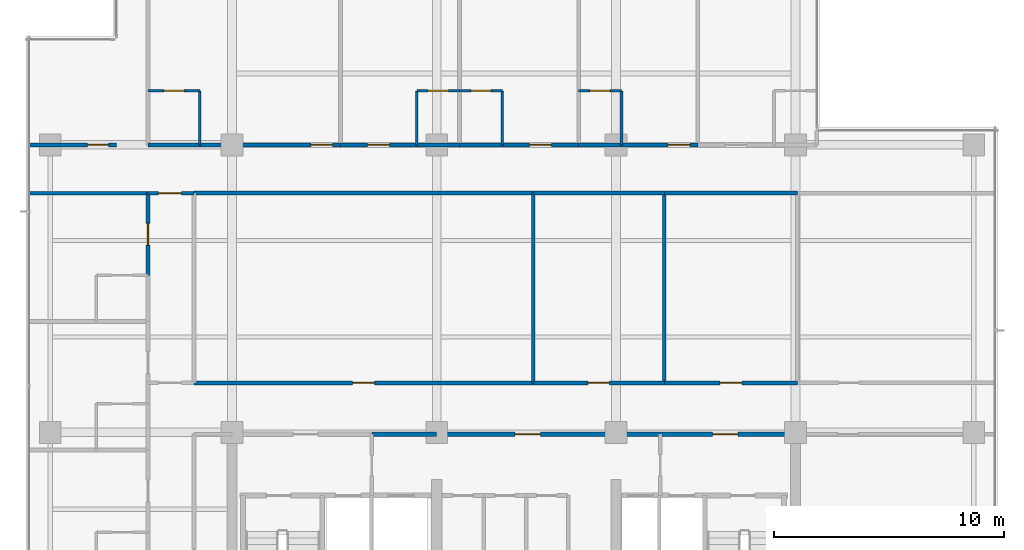
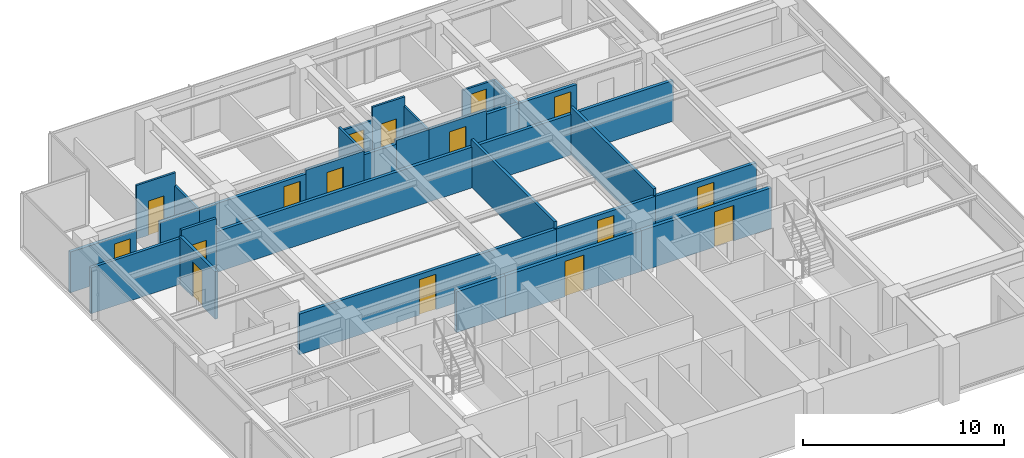
# One storey, part 9 of 15: 31 walls, 16 doors, 16 openings.
"""IFC4 building model written with IfcOpenShell, lengths in metres."""

from ifc_helpers import new_model, si_unit, direction, frame, frame_2d, origin, place, context, subcontext, project, spatial, rectangle, extrude, material, layer, layer_set, type_object, element, fill, save


model = new_model("IFC4")

# Units and contexts
model_context = context("Model", 3, precision=1e-05, world=origin(), true_north=direction((0.0, 1.0)))
body_context = subcontext(model_context, "Body", "Model", "MODEL_VIEW")
ifc_project = project(units=[si_unit("LENGTHUNIT", "METRE"), si_unit("AREAUNIT", "SQUARE_METRE"), si_unit("VOLUMEUNIT", "CUBIC_METRE"), si_unit("PLANEANGLEUNIT", "RADIAN"), si_unit("MASSUNIT", "GRAM", prefix="KILO")], contexts=[model_context])

# Site, building, storey
site_placement = place(None, origin())
site = spatial("IfcSite", under=ifc_project, at=site_placement, CompositionType="ELEMENT")
building_placement = place(site_placement, origin())
building = spatial("IfcBuilding", under=site, at=building_placement, Name="Qalmaran Belvedere Hotel", CompositionType="ELEMENT")
storey_placement = place(building_placement, frame((0.0, 0.0, 196.89990234375)))
storey = spatial("IfcBuildingStorey", under=building, at=storey_placement, Name="L49", CompositionType="ELEMENT", Elevation=196.89990234375)

# Wall, opening, door
ifc_material_1 = material(Name="Moisture-Resistant Gypsum")
ifc_layer_1 = layer(ifc_material_1, 0.1201171875, Name="Moisture-Resistant Gypsum")
ifc_layer_set_1 = layer_set([ifc_layer_1], Name="Moisture-Resistant Gypsum")
wall_type_1 = type_object("IfcWallType", Name="WL-INT-120-BATH", PredefinedType="PARTITIONING", material=ifc_layer_set_1)
wall_1_placement = place(storey_placement, frame((16.64990234375, 35.35009765625, 0.0), z_axis=(0.0, 0.0, 1.0), x_axis=(1.0, 0.0, 0.0)))
wall_1 = element("IfcWall", 1, at=wall_1_placement, inside=storey, type_object=wall_type_1, Name="L49 Partition WL-L49-NBN00", PredefinedType="PARTITIONING", context=body_context, shape_type="SweptSolid", body=[
    extrude(rectangle(XDim=2.25, YDim=0.1201171875, at=frame_2d((1.125, 0.0))), origin(), (0.0, 0.0, 1.0), 3.260009765625),
])
opening_1_placement = place(wall_1_placement, frame((1.56494140625, 0.0, 0.0), z_axis=(0.0, 0.0, 1.0), x_axis=(-1.0, 0.0, 0.0)))
opening_1 = element("IfcOpeningElement", 2, at=opening_1_placement, cuts=wall_1, Name="Opening D-BATH", PredefinedType="OPENING", context=body_context, shape_type="SweptSolid", body=[
    extrude(rectangle(XDim=0.8798828125, YDim=2.080078125, at=frame_2d((0.43994140625, 1.0400390625))), frame((0.0, 0.070068359375, 0.0), z_axis=(0.0, -1.0, 0.0), x_axis=(1.0, 0.0, 0.0)), (0.0, 0.0, 1.0), 0.14013671875),
])
ifc_material_2 = material(Name="Engineered Oak Veneer")
door_type_1 = type_object("IfcDoorType", Name="DR-INT-BATH-880X2080", OperationType="NOTDEFINED", PredefinedType="DOOR", material=ifc_material_2)
door_1_placement = place(opening_1_placement, origin())
door_1 = element("IfcDoor", 3, at=door_1_placement, inside=storey, type_object=door_type_1, Name="L49 Ensuite Bathroom Door N01", OperationType="SINGLE_SWING_RIGHT", OverallHeight=2.080078125, OverallWidth=0.8798828125, PredefinedType="DOOR", context=body_context, shape_type="SweptSolid", body=[
    extrude(rectangle(XDim=0.8798828125, YDim=2.080078125, at=frame_2d((0.43994140625, 1.0400390625))), frame((0.0, 0.02490234375, 0.0), z_axis=(0.0, -1.0, 0.0), x_axis=(1.0, 0.0, 0.0)), (0.0, 0.0, 1.0), 0.050048828125),
])
fill(opening_1, door_1)

# Wall
wall_2_placement = place(storey_placement, frame((18.89990234375, 33.0, 0.0), z_axis=(0.0, 0.0, 1.0), x_axis=(0.0, 1.0, 0.0)))
element("IfcWall", 4, at=wall_2_placement, inside=storey, type_object=wall_type_1, Name="L49 Partition WL-L49-NBS00", PredefinedType="PARTITIONING", context=body_context, shape_type="SweptSolid", body=[
    extrude(rectangle(XDim=2.35009765625, YDim=0.1201171875, at=frame_2d((1.175048828125, 0.0))), origin(), (0.0, 0.0, 1.0), 2.47216796875),
])

# Wall, opening, door
wall_3_placement = place(storey_placement, frame((28.33544921875, 35.35009765625, 0.0), z_axis=(0.0, 0.0, 1.0), x_axis=(1.0, 0.0, 0.0)))
wall_3 = element("IfcWall", 5, at=wall_3_placement, inside=storey, type_object=wall_type_1, Name="L49 Partition WL-L49-NBN01", PredefinedType="PARTITIONING", context=body_context, shape_type="SweptSolid", body=[
    extrude(rectangle(XDim=1.85986328125, YDim=0.1201171875, at=frame_2d((0.929931640625, 0.0))), origin(), (0.0, 0.0, 1.0), 2.47216796875),
])
opening_2_placement = place(wall_3_placement, frame((1.369873046875, 0.0, 0.0), z_axis=(0.0, 0.0, 1.0), x_axis=(-1.0, 0.0, 0.0)))
opening_2 = element("IfcOpeningElement", 6, at=opening_2_placement, cuts=wall_3, Name="Opening D-BATH", PredefinedType="OPENING", context=body_context, shape_type="SweptSolid", body=[
    extrude(rectangle(XDim=0.8798828125, YDim=2.080078125, at=frame_2d((0.43994140625, 1.0400390625))), frame((0.0, 0.070068359375, 0.0), z_axis=(0.0, -1.0, 0.0), x_axis=(1.0, 0.0, 0.0)), (0.0, 0.0, 1.0), 0.14013671875),
])
door_2_placement = place(opening_2_placement, origin())
door_2 = element("IfcDoor", 7, at=door_2_placement, inside=storey, type_object=door_type_1, Name="L49 Ensuite Bathroom Door N02", OperationType="SINGLE_SWING_RIGHT", OverallHeight=2.080078125, OverallWidth=0.8798828125, PredefinedType="DOOR", context=body_context, shape_type="SweptSolid", body=[
    extrude(rectangle(XDim=0.8798828125, YDim=2.080078125, at=frame_2d((0.43994140625, 1.0400390625))), frame((0.0, 0.02490234375, 0.0), z_axis=(0.0, -1.0, 0.0), x_axis=(1.0, 0.0, 0.0)), (0.0, 0.0, 1.0), 0.050048828125),
])
fill(opening_2, door_2)

# Wall
wall_4_placement = place(storey_placement, frame((28.33544921875, 33.0, 0.0), z_axis=(0.0, 0.0, 1.0), x_axis=(0.0, 1.0, 0.0)))
element("IfcWall", 8, at=wall_4_placement, inside=storey, type_object=wall_type_1, Name="L49 Partition WL-L49-NBS01", PredefinedType="PARTITIONING", context=body_context, shape_type="SweptSolid", body=[
    extrude(rectangle(XDim=2.35009765625, YDim=0.1201171875, at=frame_2d((1.175048828125, 0.0))), origin(), (0.0, 0.0, 1.0), 2.7060546875),
])

# Wall, opening, door
wall_5_placement = place(storey_placement, frame((30.1953125, 35.35009765625, 0.0), z_axis=(0.0, 0.0, 1.0), x_axis=(1.0, 0.0, 0.0)))
wall_5 = element("IfcWall", 9, at=wall_5_placement, inside=storey, type_object=wall_type_1, Name="L49 Partition WL-L49-NBN02", PredefinedType="PARTITIONING", context=body_context, shape_type="SweptSolid", body=[
    extrude(rectangle(XDim=1.860107421875, YDim=0.1201171875, at=frame_2d((0.93017578125, 0.0))), origin(), (0.0, 0.0, 1.0), 3.260009765625),
])
opening_3_placement = place(wall_5_placement, frame((1.369873046875, 0.0, 0.0), z_axis=(0.0, 0.0, 1.0), x_axis=(-1.0, 0.0, 0.0)))
opening_3 = element("IfcOpeningElement", 10, at=opening_3_placement, cuts=wall_5, Name="Opening D-BATH", PredefinedType="OPENING", context=body_context, shape_type="SweptSolid", body=[
    extrude(rectangle(XDim=0.8798828125, YDim=2.080078125, at=frame_2d((0.43994140625, 1.0400390625))), frame((0.0, 0.070068359375, 0.0), z_axis=(0.0, -1.0, 0.0), x_axis=(1.0, 0.0, 0.0)), (0.0, 0.0, 1.0), 0.14013671875),
])
door_3_placement = place(opening_3_placement, origin())
door_3 = element("IfcDoor", 11, at=door_3_placement, inside=storey, type_object=door_type_1, Name="L49 Ensuite Bathroom Door N03", OperationType="SINGLE_SWING_RIGHT", OverallHeight=2.080078125, OverallWidth=0.8798828125, PredefinedType="DOOR", context=body_context, shape_type="SweptSolid", body=[
    extrude(rectangle(XDim=0.8798828125, YDim=2.080078125, at=frame_2d((0.43994140625, 1.0400390625))), frame((0.0, 0.02490234375, 0.0), z_axis=(0.0, -1.0, 0.0), x_axis=(1.0, 0.0, 0.0)), (0.0, 0.0, 1.0), 0.050048828125),
])
fill(opening_3, door_3)

# Wall
wall_6_placement = place(storey_placement, frame((32.055419921875, 33.0, 0.0), z_axis=(0.0, 0.0, 1.0), x_axis=(0.0, 1.0, 0.0)))
element("IfcWall", 12, at=wall_6_placement, inside=storey, type_object=wall_type_1, Name="L49 Partition WL-L49-NBS02", PredefinedType="PARTITIONING", context=body_context, shape_type="SweptSolid", body=[
    extrude(rectangle(XDim=2.35009765625, YDim=0.1201171875, at=frame_2d((1.175048828125, 0.0))), origin(), (0.0, 0.0, 1.0), 2.7060546875),
])

# Wall, opening, door
wall_7_placement = place(storey_placement, frame((35.37353515625, 35.35009765625, 0.0), z_axis=(0.0, 0.0, 1.0), x_axis=(1.0, 0.0, 0.0)))
wall_7 = element("IfcWall", 13, at=wall_7_placement, inside=storey, type_object=wall_type_1, Name="L49 Partition WL-L49-NBN03", PredefinedType="PARTITIONING", context=body_context, shape_type="SweptSolid", body=[
    extrude(rectangle(XDim=1.860107421875, YDim=0.1201171875, at=frame_2d((0.93017578125, 0.0))), origin(), (0.0, 0.0, 1.0), 2.47216796875),
])
opening_4_placement = place(wall_7_placement, frame((1.369873046875, 0.0, 0.0), z_axis=(0.0, 0.0, 1.0), x_axis=(-1.0, 0.0, 0.0)))
opening_4 = element("IfcOpeningElement", 14, at=opening_4_placement, cuts=wall_7, Name="Opening D-BATH", PredefinedType="OPENING", context=body_context, shape_type="SweptSolid", body=[
    extrude(rectangle(XDim=0.8798828125, YDim=2.080078125, at=frame_2d((0.43994140625, 1.0400390625))), frame((0.0, 0.070068359375, 0.0), z_axis=(0.0, -1.0, 0.0), x_axis=(1.0, 0.0, 0.0)), (0.0, 0.0, 1.0), 0.14013671875),
])
door_4_placement = place(opening_4_placement, origin())
door_4 = element("IfcDoor", 15, at=door_4_placement, inside=storey, type_object=door_type_1, Name="L49 Ensuite Bathroom Door N04", OperationType="SINGLE_SWING_RIGHT", OverallHeight=2.080078125, OverallWidth=0.8798828125, PredefinedType="DOOR", context=body_context, shape_type="SweptSolid", body=[
    extrude(rectangle(XDim=0.8798828125, YDim=2.080078125, at=frame_2d((0.43994140625, 1.0400390625))), frame((0.0, 0.02490234375, 0.0), z_axis=(0.0, -1.0, 0.0), x_axis=(1.0, 0.0, 0.0)), (0.0, 0.0, 1.0), 0.050048828125),
])
fill(opening_4, door_4)

# Wall
wall_8_placement = place(storey_placement, frame((37.233642578125, 33.0, 0.0), z_axis=(0.0, 0.0, 1.0), x_axis=(0.0, 1.0, 0.0)))
element("IfcWall", 16, at=wall_8_placement, inside=storey, type_object=wall_type_1, Name="L49 Partition WL-L49-NBS03", PredefinedType="PARTITIONING", context=body_context, shape_type="SweptSolid", body=[
    extrude(rectangle(XDim=2.35009765625, YDim=0.1201171875, at=frame_2d((1.175048828125, 0.0))), origin(), (0.0, 0.0, 1.0), 2.47216796875),
])

# Wall, opening, door
ifc_material_3 = material(Name="Gypsum Stud Partition")
ifc_layer_2 = layer(ifc_material_3, 0.14990234375, Name="Gypsum Stud Partition")
ifc_layer_set_2 = layer_set([ifc_layer_2], Name="Gypsum Stud Partition")
wall_type_2 = type_object("IfcWallType", Name="WL-INT-150-EI60", PredefinedType="PARTITIONING", material=ifc_layer_set_2)
wall_9_placement = place(storey_placement, frame((16.64990234375, 30.89990234375, 0.0), z_axis=(0.0, 0.0, 1.0), x_axis=(1.0, 0.0, 0.0)))
wall_9 = element("IfcWall", 17, at=wall_9_placement, inside=storey, type_object=wall_type_2, Name="L49 Partition WL-L49-XCW2", PredefinedType="PARTITIONING", context=body_context, shape_type="SweptSolid", body=[
    extrude(rectangle(XDim=2.0, YDim=0.14990234375, at=frame_2d((1.0, 0.0))), origin(), (0.0, 0.0, 1.0), 3.260009765625),
])
opening_5_placement = place(wall_9_placement, frame((0.449951171875, 0.0, 0.0)))
opening_5 = element("IfcOpeningElement", 18, at=opening_5_placement, cuts=wall_9, Name="Opening FD90B", PredefinedType="OPENING", context=body_context, shape_type="SweptSolid", body=[
    extrude(rectangle(XDim=1.0, YDim=2.14990234375, at=frame_2d((0.5, 1.074951171875))), frame((0.0, 0.0849609375, 0.0), z_axis=(0.0, -1.0, 0.0), x_axis=(1.0, 0.0, 0.0)), (0.0, 0.0, 1.0), 0.169921875),
])
ifc_material_4 = material(Name="Steel S355JR", Category="steel")
door_type_2 = type_object("IfcDoorType", Name="DR-FD90B-1000X2150", OperationType="NOTDEFINED", PredefinedType="DOOR", material=ifc_material_4)
door_5_placement = place(opening_5_placement, origin())
door_5 = element("IfcDoor", 19, at=door_5_placement, inside=storey, type_object=door_type_2, Name="L49 West Corridor Smoke Door N", OperationType="SINGLE_SWING_RIGHT", OverallHeight=2.14990234375, OverallWidth=1.0, PredefinedType="DOOR", context=body_context, shape_type="SweptSolid", body=[
    extrude(rectangle(XDim=1.0, YDim=2.14990234375, at=frame_2d((0.5, 1.074951171875))), frame((0.0, 0.02490234375, 0.0), z_axis=(0.0, -1.0, 0.0), x_axis=(1.0, 0.0, 0.0)), (0.0, 0.0, 1.0), 0.050048828125),
])
fill(opening_5, door_5)

# Walls
ifc_layer_3 = layer(ifc_material_3, 0.159912109375, Name="Gypsum Stud Partition")
ifc_layer_set_3 = layer_set([ifc_layer_3], Name="Gypsum Stud Partition")
wall_type_3 = type_object("IfcWallType", Name="WL-INT-160-EI60", PredefinedType="PARTITIONING", material=ifc_layer_set_3)
for number, where, z_axis, x_axis, name in (
    (20, (33.39990234375, 22.64990234375, 0.0), (0.0, 0.0, 1.0), (0.0, 1.0, 0.0), "L49 Partition WL-L49-MIDVR1"),
    (21, (39.10009765625, 22.64990234375, 0.0), (0.0, 0.0, 1.0), (0.0, 1.0, 0.0), "L49 Partition WL-L49-MIDVR2"),
):
    element("IfcWall", number, at=place(storey_placement, frame(where, z_axis=z_axis, x_axis=x_axis)), inside=storey, type_object=wall_type_3, Name=name, PredefinedType="PARTITIONING", context=body_context, shape_type="SweptSolid", body=[
        extrude(rectangle(XDim=8.25, YDim=0.159912109375, at=frame_2d((4.125, 0.0))), origin(), (0.0, 0.0, 1.0), 2.88720703125),
    ])
wall_10_placement = place(storey_placement, frame((11.469970703125, 30.89990234375, 0.0), z_axis=(0.0, 0.0, 1.0), x_axis=(1.0, 0.0, 0.0)))
element("IfcWall", 22, at=wall_10_placement, inside=storey, type_object=wall_type_3, Name="L49 Partition WL-L49-WU02", PredefinedType="PARTITIONING", context=body_context, shape_type="SweptSolid", body=[
    extrude(rectangle(XDim=5.179931640625, YDim=0.159912109375, at=frame_2d((2.58984375, 0.0))), origin(), (0.0, 0.0, 1.0), 2.781982421875),
])

# Wall, opening, door
ifc_layer_4 = layer(ifc_material_3, 0.179931640625, Name="Gypsum Stud Partition")
ifc_layer_set_4 = layer_set([ifc_layer_4], Name="Gypsum Stud Partition")
wall_type_4 = type_object("IfcWallType", Name="WL-INT-180-EI60", PredefinedType="PARTITIONING", material=ifc_layer_set_4)
wall_11_placement = place(storey_placement, frame((18.64990234375, 22.64990234375, 0.0), z_axis=(0.0, 0.0, 1.0), x_axis=(1.0, 0.0, 0.0)))
wall_11 = element("IfcWall", 23, at=wall_11_placement, inside=storey, type_object=wall_type_4, Name="L49 Partition WL-L49-MIDD1", PredefinedType="PARTITIONING", context=body_context, shape_type="SweptSolid", body=[
    extrude(rectangle(XDim=14.75, YDim=0.179931640625, at=frame_2d((7.375, 0.0))), origin(), (0.0, 0.0, 1.0), 2.47216796875),
])
opening_6_placement = place(wall_11_placement, frame((6.89990234375, 0.0, 0.0)))
opening_6 = element("IfcOpeningElement", 24, at=opening_6_placement, cuts=wall_11, Name="Opening FD60", PredefinedType="OPENING", context=body_context, shape_type="SweptSolid", body=[
    extrude(rectangle(XDim=0.949951171875, YDim=2.14990234375, at=frame_2d((0.47509765625, 1.074951171875))), frame((0.0, 0.10009765625, 0.0), z_axis=(0.0, -1.0, 0.0), x_axis=(1.0, 0.0, 0.0)), (0.0, 0.0, 1.0), 0.199951171875),
])
door_type_3 = type_object("IfcDoorType", Name="DR-FD60-950X2150", OperationType="NOTDEFINED", PredefinedType="DOOR", material=ifc_material_2)
door_6_placement = place(opening_6_placement, origin())
door_6 = element("IfcDoor", 25, at=door_6_placement, inside=storey, type_object=door_type_3, Name="L49 Housekeeping and Linen Room Door", OperationType="SINGLE_SWING_LEFT", OverallHeight=2.14990234375, OverallWidth=0.949951171875, PredefinedType="DOOR", context=body_context, shape_type="SweptSolid", body=[
    extrude(rectangle(XDim=0.949951171875, YDim=2.14990234375, at=frame_2d((0.47509765625, 1.074951171875))), frame((0.0, 0.02490234375, 0.0), z_axis=(0.0, -1.0, 0.0), x_axis=(1.0, 0.0, 0.0)), (0.0, 0.0, 1.0), 0.050048828125),
])
fill(opening_6, door_6)

# Wall
wall_12_placement = place(storey_placement, frame((18.64990234375, 30.89990234375, 0.0), z_axis=(0.0, 0.0, 1.0), x_axis=(1.0, 0.0, 0.0)))
element("IfcWall", 26, at=wall_12_placement, inside=storey, type_object=wall_type_4, Name="L49 Partition WL-L49-MIDO1", PredefinedType="PARTITIONING", context=body_context, shape_type="SweptSolid", body=[
    extrude(rectangle(XDim=14.75, YDim=0.179931640625, at=frame_2d((7.375, 0.0))), origin(), (0.0, 0.0, 1.0), 2.47216796875),
])

# Wall, opening, door
wall_13_placement = place(storey_placement, frame((33.39990234375, 22.64990234375, 0.0), z_axis=(0.0, 0.0, 1.0), x_axis=(1.0, 0.0, 0.0)))
wall_13 = element("IfcWall", 27, at=wall_13_placement, inside=storey, type_object=wall_type_4, Name="L49 Partition WL-L49-MIDD2", PredefinedType="PARTITIONING", context=body_context, shape_type="SweptSolid", body=[
    extrude(rectangle(XDim=5.7001953125, YDim=0.179931640625, at=frame_2d((2.85009765625, 0.0))), origin(), (0.0, 0.0, 1.0), 2.47216796875),
])
opening_7_placement = place(wall_13_placement, frame((2.375, 0.0, 0.0)))
opening_7 = element("IfcOpeningElement", 28, at=opening_7_placement, cuts=wall_13, Name="Opening FD60", PredefinedType="OPENING", context=body_context, shape_type="SweptSolid", body=[
    extrude(rectangle(XDim=0.949951171875, YDim=2.14990234375, at=frame_2d((0.47509765625, 1.074951171875))), frame((0.0, 0.10009765625, 0.0), z_axis=(0.0, -1.0, 0.0), x_axis=(1.0, 0.0, 0.0)), (0.0, 0.0, 1.0), 0.199951171875),
])
door_7_placement = place(opening_7_placement, origin())
door_7 = element("IfcDoor", 29, at=door_7_placement, inside=storey, type_object=door_type_3, Name="L49 Butler Pantry Door", OperationType="SINGLE_SWING_RIGHT", OverallHeight=2.14990234375, OverallWidth=0.949951171875, PredefinedType="DOOR", context=body_context, shape_type="SweptSolid", body=[
    extrude(rectangle(XDim=0.949951171875, YDim=2.14990234375, at=frame_2d((0.47509765625, 1.074951171875))), frame((0.0, 0.02490234375, 0.0), z_axis=(0.0, -1.0, 0.0), x_axis=(1.0, 0.0, 0.0)), (0.0, 0.0, 1.0), 0.050048828125),
])
fill(opening_7, door_7)

# Wall
wall_14_placement = place(storey_placement, frame((33.39990234375, 30.89990234375, 0.0), z_axis=(0.0, 0.0, 1.0), x_axis=(1.0, 0.0, 0.0)))
element("IfcWall", 30, at=wall_14_placement, inside=storey, type_object=wall_type_4, Name="L49 Partition WL-L49-MIDO2", PredefinedType="PARTITIONING", context=body_context, shape_type="SweptSolid", body=[
    extrude(rectangle(XDim=5.7001953125, YDim=0.179931640625, at=frame_2d((2.85009765625, 0.0))), origin(), (0.0, 0.0, 1.0), 2.47216796875),
])

# Wall, opening, door
wall_15_placement = place(storey_placement, frame((39.10009765625, 22.64990234375, 0.0), z_axis=(0.0, 0.0, 1.0), x_axis=(1.0, 0.0, 0.0)))
wall_15 = element("IfcWall", 31, at=wall_15_placement, inside=storey, type_object=wall_type_4, Name="L49 Partition WL-L49-MIDD3", PredefinedType="PARTITIONING", context=body_context, shape_type="SweptSolid", body=[
    extrude(rectangle(XDim=5.77978515625, YDim=0.179931640625, at=frame_2d((2.889892578125, 0.0))), origin(), (0.0, 0.0, 1.0), 2.47216796875),
])
opening_8_placement = place(wall_15_placement, frame((2.4150390625, 0.0, 0.0)))
opening_8 = element("IfcOpeningElement", 32, at=opening_8_placement, cuts=wall_15, Name="Opening FD60", PredefinedType="OPENING", context=body_context, shape_type="SweptSolid", body=[
    extrude(rectangle(XDim=0.949951171875, YDim=2.14990234375, at=frame_2d((0.47509765625, 1.074951171875))), frame((0.0, 0.10009765625, 0.0), z_axis=(0.0, -1.0, 0.0), x_axis=(1.0, 0.0, 0.0)), (0.0, 0.0, 1.0), 0.199951171875),
])
door_8_placement = place(opening_8_placement, origin())
door_8 = element("IfcDoor", 33, at=door_8_placement, inside=storey, type_object=door_type_3, Name="L49 Tea Pantry Door", OperationType="SINGLE_SWING_LEFT", OverallHeight=2.14990234375, OverallWidth=0.949951171875, PredefinedType="DOOR", context=body_context, shape_type="SweptSolid", body=[
    extrude(rectangle(XDim=0.949951171875, YDim=2.14990234375, at=frame_2d((0.47509765625, 1.074951171875))), frame((0.0, 0.02490234375, 0.0), z_axis=(0.0, -1.0, 0.0), x_axis=(1.0, 0.0, 0.0)), (0.0, 0.0, 1.0), 0.050048828125),
])
fill(opening_8, door_8)

# Walls
wall_16_placement = place(storey_placement, frame((39.10009765625, 30.89990234375, 0.0), z_axis=(0.0, 0.0, 1.0), x_axis=(1.0, 0.0, 0.0)))
element("IfcWall", 34, at=wall_16_placement, inside=storey, type_object=wall_type_4, Name="L49 Partition WL-L49-MIDO3", PredefinedType="PARTITIONING", context=body_context, shape_type="SweptSolid", body=[
    extrude(rectangle(XDim=5.77978515625, YDim=0.179931640625, at=frame_2d((2.889892578125, 0.0))), origin(), (0.0, 0.0, 1.0), 2.47216796875),
])
wall_17_placement = place(storey_placement, frame((16.64990234375, 33.0, 0.0), z_axis=(0.0, 0.0, 1.0), x_axis=(1.0, 0.0, 0.0)))
element("IfcWall", 35, at=wall_17_placement, inside=storey, type_object=wall_type_4, Name="L49 Partition WL-L49-NBC00", PredefinedType="PARTITIONING", context=body_context, shape_type="SweptSolid", body=[
    extrude(rectangle(XDim=2.25, YDim=0.179931640625, at=frame_2d((1.125, 0.0))), origin(), (0.0, 0.0, 1.0), 2.47216796875),
])

# Wall, opening, door
wall_18_placement = place(storey_placement, frame((18.89990234375, 33.0, 0.0), z_axis=(0.0, 0.0, 1.0), x_axis=(1.0, 0.0, 0.0)))
wall_18 = element("IfcWall", 36, at=wall_18_placement, inside=storey, type_object=wall_type_4, Name="L49 Partition WL-L49-NEC00", PredefinedType="PARTITIONING", context=body_context, shape_type="SweptSolid", body=[
    extrude(rectangle(XDim=6.1171875, YDim=0.179931640625, at=frame_2d((3.05859375, 0.0))), origin(), (0.0, 0.0, 1.0), 2.47216796875),
])
opening_9_placement = place(wall_18_placement, frame((4.8291015625, 0.0, 0.0)))
opening_9 = element("IfcOpeningElement", 37, at=opening_9_placement, cuts=wall_18, Name="Opening FD60", PredefinedType="OPENING", context=body_context, shape_type="SweptSolid", body=[
    extrude(rectangle(XDim=0.949951171875, YDim=2.14990234375, at=frame_2d((0.47509765625, 1.074951171875))), frame((0.0, 0.10009765625, 0.0), z_axis=(0.0, -1.0, 0.0), x_axis=(1.0, 0.0, 0.0)), (0.0, 0.0, 1.0), 0.199951171875),
])
door_9_placement = place(opening_9_placement, origin())
door_9 = element("IfcDoor", 38, at=door_9_placement, inside=storey, type_object=door_type_3, Name="L49 Guest Entrance Door N01", OperationType="SINGLE_SWING_LEFT", OverallHeight=2.14990234375, OverallWidth=0.949951171875, PredefinedType="DOOR", context=body_context, shape_type="SweptSolid", body=[
    extrude(rectangle(XDim=0.949951171875, YDim=2.14990234375, at=frame_2d((0.47509765625, 1.074951171875))), frame((0.0, 0.02490234375, 0.0), z_axis=(0.0, -1.0, 0.0), x_axis=(1.0, 0.0, 0.0)), (0.0, 0.0, 1.0), 0.050048828125),
])
fill(opening_9, door_9)

# Wall
wall_19_placement = place(storey_placement, frame((28.33544921875, 33.0, 0.0), z_axis=(0.0, 0.0, 1.0), x_axis=(1.0, 0.0, 0.0)))
element("IfcWall", 39, at=wall_19_placement, inside=storey, type_object=wall_type_4, Name="L49 Partition WL-L49-NBC01", PredefinedType="PARTITIONING", context=body_context, shape_type="SweptSolid", body=[
    extrude(rectangle(XDim=1.85986328125, YDim=0.179931640625, at=frame_2d((0.929931640625, 0.0))), origin(), (0.0, 0.0, 1.0), 2.47216796875),
])

# Wall, opening, door
wall_20_placement = place(storey_placement, frame((25.01708984375, 33.0, 0.0), z_axis=(0.0, 0.0, 1.0), x_axis=(1.0, 0.0, 0.0)))
wall_20 = element("IfcWall", 40, at=wall_20_placement, inside=storey, type_object=wall_type_4, Name="L49 Partition WL-L49-NEC01", PredefinedType="PARTITIONING", context=body_context, shape_type="SweptSolid", body=[
    extrude(rectangle(XDim=3.318359375, YDim=0.179931640625, at=frame_2d((1.6591796875, 0.0))), origin(), (0.0, 0.0, 1.0), 2.7060546875),
])
opening_10_placement = place(wall_20_placement, frame((1.18408203125, 0.0, 0.0)))
opening_10 = element("IfcOpeningElement", 41, at=opening_10_placement, cuts=wall_20, Name="Opening FD60", PredefinedType="OPENING", context=body_context, shape_type="SweptSolid", body=[
    extrude(rectangle(XDim=0.949951171875, YDim=2.14990234375, at=frame_2d((0.47509765625, 1.074951171875))), frame((0.0, 0.10009765625, 0.0), z_axis=(0.0, -1.0, 0.0), x_axis=(1.0, 0.0, 0.0)), (0.0, 0.0, 1.0), 0.199951171875),
])
door_10_placement = place(opening_10_placement, origin())
door_10 = element("IfcDoor", 42, at=door_10_placement, inside=storey, type_object=door_type_3, Name="L49 Guest Entrance Door N02", OperationType="SINGLE_SWING_LEFT", OverallHeight=2.14990234375, OverallWidth=0.949951171875, PredefinedType="DOOR", context=body_context, shape_type="SweptSolid", body=[
    extrude(rectangle(XDim=0.949951171875, YDim=2.14990234375, at=frame_2d((0.47509765625, 1.074951171875))), frame((0.0, 0.02490234375, 0.0), z_axis=(0.0, -1.0, 0.0), x_axis=(1.0, 0.0, 0.0)), (0.0, 0.0, 1.0), 0.050048828125),
])
fill(opening_10, door_10)

# Wall
wall_21_placement = place(storey_placement, frame((30.1953125, 33.0, 0.0), z_axis=(0.0, 0.0, 1.0), x_axis=(1.0, 0.0, 0.0)))
element("IfcWall", 43, at=wall_21_placement, inside=storey, type_object=wall_type_4, Name="L49 Partition WL-L49-NBC02", PredefinedType="PARTITIONING", context=body_context, shape_type="SweptSolid", body=[
    extrude(rectangle(XDim=1.860107421875, YDim=0.179931640625, at=frame_2d((0.93017578125, 0.0))), origin(), (0.0, 0.0, 1.0), 2.7060546875),
])

# Wall, opening, door
wall_22_placement = place(storey_placement, frame((32.055419921875, 33.0, 0.0), z_axis=(0.0, 0.0, 1.0), x_axis=(1.0, 0.0, 0.0)))
wall_22 = element("IfcWall", 44, at=wall_22_placement, inside=storey, type_object=wall_type_4, Name="L49 Partition WL-L49-NEC02", PredefinedType="PARTITIONING", context=body_context, shape_type="SweptSolid", body=[
    extrude(rectangle(XDim=3.318115234375, YDim=0.179931640625, at=frame_2d((1.6591796875, 0.0))), origin(), (0.0, 0.0, 1.0), 2.7060546875),
])
opening_11_placement = place(wall_22_placement, frame((1.18408203125, 0.0, 0.0)))
opening_11 = element("IfcOpeningElement", 45, at=opening_11_placement, cuts=wall_22, Name="Opening FD60", PredefinedType="OPENING", context=body_context, shape_type="SweptSolid", body=[
    extrude(rectangle(XDim=0.949951171875, YDim=2.14990234375, at=frame_2d((0.47509765625, 1.074951171875))), frame((0.0, 0.10009765625, 0.0), z_axis=(0.0, -1.0, 0.0), x_axis=(1.0, 0.0, 0.0)), (0.0, 0.0, 1.0), 0.199951171875),
])
door_11_placement = place(opening_11_placement, origin())
door_11 = element("IfcDoor", 46, at=door_11_placement, inside=storey, type_object=door_type_3, Name="L49 Guest Entrance Door N03", OperationType="SINGLE_SWING_LEFT", OverallHeight=2.14990234375, OverallWidth=0.949951171875, PredefinedType="DOOR", context=body_context, shape_type="SweptSolid", body=[
    extrude(rectangle(XDim=0.949951171875, YDim=2.14990234375, at=frame_2d((0.47509765625, 1.074951171875))), frame((0.0, 0.02490234375, 0.0), z_axis=(0.0, -1.0, 0.0), x_axis=(1.0, 0.0, 0.0)), (0.0, 0.0, 1.0), 0.050048828125),
])
fill(opening_11, door_11)

# Wall
wall_23_placement = place(storey_placement, frame((35.37353515625, 33.0, 0.0), z_axis=(0.0, 0.0, 1.0), x_axis=(1.0, 0.0, 0.0)))
element("IfcWall", 47, at=wall_23_placement, inside=storey, type_object=wall_type_4, Name="L49 Partition WL-L49-NBC03", PredefinedType="PARTITIONING", context=body_context, shape_type="SweptSolid", body=[
    extrude(rectangle(XDim=1.860107421875, YDim=0.179931640625, at=frame_2d((0.93017578125, 0.0))), origin(), (0.0, 0.0, 1.0), 2.47216796875),
])

# Wall, opening, door
wall_24_placement = place(storey_placement, frame((37.233642578125, 33.0, 0.0), z_axis=(0.0, 0.0, 1.0), x_axis=(1.0, 0.0, 0.0)))
wall_24 = element("IfcWall", 48, at=wall_24_placement, inside=storey, type_object=wall_type_4, Name="L49 Partition WL-L49-NEC03", PredefinedType="PARTITIONING", context=body_context, shape_type="SweptSolid", body=[
    extrude(rectangle(XDim=3.318115234375, YDim=0.179931640625, at=frame_2d((1.6591796875, 0.0))), origin(), (0.0, 0.0, 1.0), 2.47216796875),
])
opening_12_placement = place(wall_24_placement, frame((2.034912109375, 0.0, 0.0)))
opening_12 = element("IfcOpeningElement", 49, at=opening_12_placement, cuts=wall_24, Name="Opening FD60", PredefinedType="OPENING", context=body_context, shape_type="SweptSolid", body=[
    extrude(rectangle(XDim=0.949951171875, YDim=2.14990234375, at=frame_2d((0.47509765625, 1.074951171875))), frame((0.0, 0.10009765625, 0.0), z_axis=(0.0, -1.0, 0.0), x_axis=(1.0, 0.0, 0.0)), (0.0, 0.0, 1.0), 0.199951171875),
])
door_12_placement = place(opening_12_placement, origin())
door_12 = element("IfcDoor", 50, at=door_12_placement, inside=storey, type_object=door_type_3, Name="L49 Guest Entrance Door N04", OperationType="SINGLE_SWING_LEFT", OverallHeight=2.14990234375, OverallWidth=0.949951171875, PredefinedType="DOOR", context=body_context, shape_type="SweptSolid", body=[
    extrude(rectangle(XDim=0.949951171875, YDim=2.14990234375, at=frame_2d((0.47509765625, 1.074951171875))), frame((0.0, 0.02490234375, 0.0), z_axis=(0.0, -1.0, 0.0), x_axis=(1.0, 0.0, 0.0)), (0.0, 0.0, 1.0), 0.050048828125),
])
fill(opening_12, door_12)

wall_25_placement = place(storey_placement, frame((16.64990234375, 27.32666015625, 0.0), z_axis=(0.0, 0.0, 1.0), x_axis=(0.0, 1.0, 0.0)))
wall_25 = element("IfcWall", 51, at=wall_25_placement, inside=storey, type_object=wall_type_4, Name="L49 Partition WL-L49-WEC02", PredefinedType="PARTITIONING", context=body_context, shape_type="SweptSolid", body=[
    extrude(rectangle(XDim=3.5732421875, YDim=0.179931640625, at=frame_2d((1.78662109375, 0.0))), origin(), (0.0, 0.0, 1.0), 2.88720703125),
])
opening_13_placement = place(wall_25_placement, frame((1.3115234375, 0.0, 0.0)))
opening_13 = element("IfcOpeningElement", 52, at=opening_13_placement, cuts=wall_25, Name="Opening FD60", PredefinedType="OPENING", context=body_context, shape_type="SweptSolid", body=[
    extrude(rectangle(XDim=0.949951171875, YDim=2.14990234375, at=frame_2d((0.47509765625, 1.074951171875))), frame((0.0, 0.10009765625, 0.0), z_axis=(0.0, -1.0, 0.0), x_axis=(1.0, 0.0, 0.0)), (0.0, 0.0, 1.0), 0.199951171875),
])
door_13_placement = place(opening_13_placement, origin())
door_13 = element("IfcDoor", 53, at=door_13_placement, inside=storey, type_object=door_type_3, Name="L49 W Wing Door 03", OperationType="SINGLE_SWING_LEFT", OverallHeight=2.14990234375, OverallWidth=0.949951171875, PredefinedType="DOOR", context=body_context, shape_type="SweptSolid", body=[
    extrude(rectangle(XDim=0.949951171875, YDim=2.14990234375, at=frame_2d((0.47509765625, 1.074951171875))), frame((0.0, 0.02490234375, 0.0), z_axis=(0.0, -1.0, 0.0), x_axis=(1.0, 0.0, 0.0)), (0.0, 0.0, 1.0), 0.050048828125),
])
fill(opening_13, door_13)

wall_26_placement = place(storey_placement, frame((11.469970703125, 33.0, 0.0), z_axis=(0.0, 0.0, 1.0), x_axis=(1.0, 0.0, 0.0)))
wall_26 = element("IfcWall", 54, at=wall_26_placement, inside=storey, type_object=wall_type_4, Name="L49 Partition WL-L49-NWSD", PredefinedType="PARTITIONING", context=body_context, shape_type="SweptSolid", body=[
    extrude(rectangle(XDim=3.800048828125, YDim=0.179931640625, at=frame_2d((1.89990234375, 0.0))), origin(), (0.0, 0.0, 1.0), 2.47216796875),
])
opening_14_placement = place(wall_26_placement, frame((2.543701171875, 0.0, 0.0)))
opening_14 = element("IfcOpeningElement", 55, at=opening_14_placement, cuts=wall_26, Name="Opening FD60S1", PredefinedType="OPENING", context=body_context, shape_type="SweptSolid", body=[
    extrude(rectangle(XDim=0.919921875, YDim=2.080078125, at=frame_2d((0.4599609375, 1.0400390625))), frame((0.0, 0.10009765625, 0.0), z_axis=(0.0, -1.0, 0.0), x_axis=(1.0, 0.0, 0.0)), (0.0, 0.0, 1.0), 0.199951171875),
])
door_type_4 = type_object("IfcDoorType", Name="DR-FD60S-920X2080", OperationType="NOTDEFINED", PredefinedType="DOOR", material=ifc_material_2)
door_14_placement = place(opening_14_placement, origin())
door_14 = element("IfcDoor", 56, at=door_14_placement, inside=storey, type_object=door_type_4, Name="L49 NW Belvedere Study Door", OperationType="SINGLE_SWING_RIGHT", OverallHeight=2.080078125, OverallWidth=0.919921875, PredefinedType="DOOR", context=body_context, shape_type="SweptSolid", body=[
    extrude(rectangle(XDim=0.919921875, YDim=2.080078125, at=frame_2d((0.4599609375, 1.0400390625))), frame((0.0, 0.02490234375, 0.0), z_axis=(0.0, -1.0, 0.0), x_axis=(1.0, 0.0, 0.0)), (0.0, 0.0, 1.0), 0.050048828125),
])
fill(opening_14, door_14)

# Wall
ifc_material_5 = material(Name="Concrete C30/37 Blockwork", Category="masonry")
ifc_layer_5 = layer(ifc_material_5, 0.199951171875, Name="Concrete C30/37 Blockwork")
ifc_layer_set_5 = layer_set([ifc_layer_5], Name="Concrete C30/37 Blockwork")
wall_type_5 = type_object("IfcWallType", Name="WL-INT-200-EI120", PredefinedType="PARTITIONING", material=ifc_layer_set_5)
wall_27_placement = place(storey_placement, frame((26.3798828125, 20.419921875, 0.0), z_axis=(0.0, 0.0, 1.0), x_axis=(1.0, 0.0, 0.0)))
element("IfcWall", 57, at=wall_27_placement, inside=storey, type_object=wall_type_5, Name="L49 Partition WL-CN1B-L49", PredefinedType="PARTITIONING", context=body_context, shape_type="SweptSolid", body=[
    extrude(rectangle(XDim=2.820068359375, YDim=0.199951171875, at=frame_2d((1.41015625, 0.0))), origin(), (0.0, 0.0, 1.0), 2.47216796875),
])

# Wall, opening, door
wall_28_placement = place(storey_placement, frame((29.199951171875, 20.419921875, 0.0), z_axis=(0.0, 0.0, 1.0), x_axis=(1.0, 0.0, 0.0)))
wall_28 = element("IfcWall", 58, at=wall_28_placement, inside=storey, type_object=wall_type_5, Name="L49 Partition WL-CN2-L49", PredefinedType="PARTITIONING", context=body_context, shape_type="SweptSolid", body=[
    extrude(rectangle(XDim=7.800048828125, YDim=0.199951171875, at=frame_2d((3.89990234375, 0.0))), origin(), (0.0, 0.0, 1.0), 2.47216796875),
])
opening_15_placement = place(wall_28_placement, frame((3.4091796875, 0.0, 0.0)))
opening_15 = element("IfcOpeningElement", 59, at=opening_15_placement, cuts=wall_28, Name="Opening FD90", PredefinedType="OPENING", context=body_context, shape_type="SweptSolid", body=[
    extrude(rectangle(XDim=1.10009765625, YDim=2.14990234375, at=frame_2d((0.550048828125, 1.074951171875))), frame((0.0, 0.10986328125, 0.0), z_axis=(0.0, -1.0, 0.0), x_axis=(1.0, 0.0, 0.0)), (0.0, 0.0, 1.0), 0.219970703125),
])
door_type_5 = type_object("IfcDoorType", Name="DR-FD90-1100X2150", OperationType="NOTDEFINED", PredefinedType="DOOR", material=ifc_material_4)
door_15_placement = place(opening_15_placement, origin())
door_15 = element("IfcDoor", 60, at=door_15_placement, inside=storey, type_object=door_type_5, Name="L49 Central Lift Lobby Door", OperationType="SINGLE_SWING_LEFT", OverallHeight=2.14990234375, OverallWidth=1.10009765625, PredefinedType="DOOR", context=body_context, shape_type="SweptSolid", body=[
    extrude(rectangle(XDim=1.10009765625, YDim=2.14990234375, at=frame_2d((0.550048828125, 1.074951171875))), frame((0.0, 0.02490234375, 0.0), z_axis=(0.0, -1.0, 0.0), x_axis=(1.0, 0.0, 0.0)), (0.0, 0.0, 1.0), 0.050048828125),
])
fill(opening_15, door_15)

wall_29_placement = place(storey_placement, frame((37.0, 20.419921875, 0.0), z_axis=(0.0, 0.0, 1.0), x_axis=(1.0, 0.0, 0.0)))
wall_29 = element("IfcWall", 61, at=wall_29_placement, inside=storey, type_object=wall_type_5, Name="L49 Partition WL-CN3-L49", PredefinedType="PARTITIONING", context=body_context, shape_type="SweptSolid", body=[
    extrude(rectangle(XDim=7.449951171875, YDim=0.199951171875, at=frame_2d((3.72509765625, 0.0))), origin(), (0.0, 0.0, 1.0), 2.47216796875),
])
opening_16_placement = place(wall_29_placement, frame((4.199951171875, 0.0, 0.0)))
opening_16 = element("IfcOpeningElement", 62, at=opening_16_placement, cuts=wall_29, Name="Opening FD90", PredefinedType="OPENING", context=body_context, shape_type="SweptSolid", body=[
    extrude(rectangle(XDim=1.10009765625, YDim=2.14990234375, at=frame_2d((0.550048828125, 1.074951171875))), frame((0.0, 0.10986328125, 0.0), z_axis=(0.0, -1.0, 0.0), x_axis=(1.0, 0.0, 0.0)), (0.0, 0.0, 1.0), 0.219970703125),
])
door_16_placement = place(opening_16_placement, origin())
door_16 = element("IfcDoor", 63, at=door_16_placement, inside=storey, type_object=door_type_5, Name="L49 FF2 Lobby Corridor Door", OperationType="SINGLE_SWING_RIGHT", OverallHeight=2.14990234375, OverallWidth=1.10009765625, PredefinedType="DOOR", context=body_context, shape_type="SweptSolid", body=[
    extrude(rectangle(XDim=1.10009765625, YDim=2.14990234375, at=frame_2d((0.550048828125, 1.074951171875))), frame((0.0, 0.02490234375, 0.0), z_axis=(0.0, -1.0, 0.0), x_axis=(1.0, 0.0, 0.0)), (0.0, 0.0, 1.0), 0.050048828125),
])
fill(opening_16, door_16)

save(model, "model.ifc")
